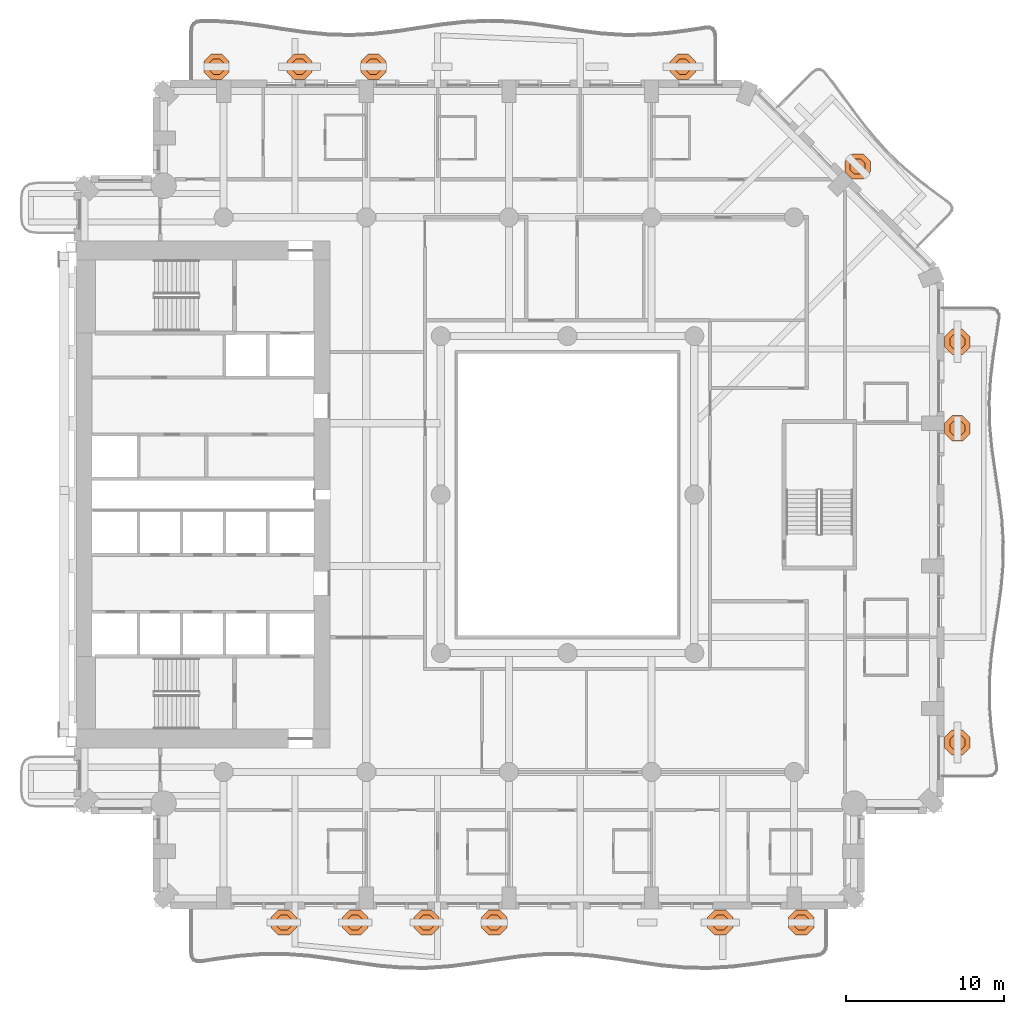
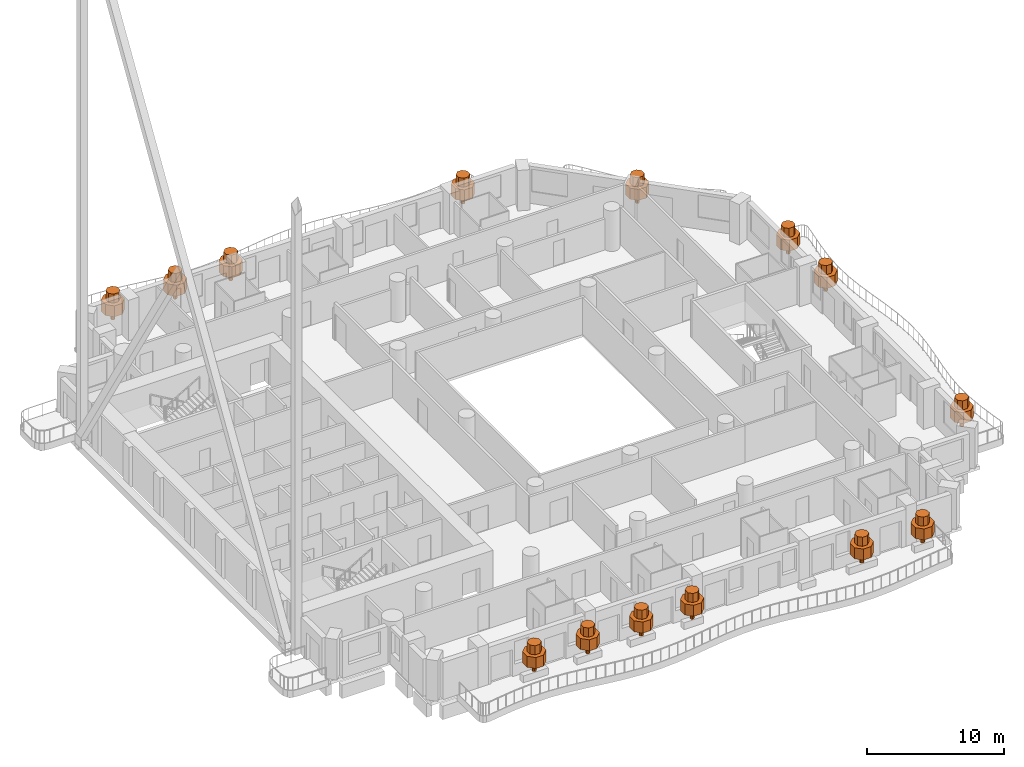
# One storey, part 24 of 24: 14 geographic elements.
"""IFC4 building model written with IfcOpenShell, lengths in metres."""

from ifc_helpers import new_model, si_unit, direction, frame, origin, place, context, subcontext, project, spatial, polyline, outline, extrude, material, type_object, element, save


model = new_model("IFC4")

# Units and contexts
model_context = context("Model", 3, precision=1e-05, world=origin(), true_north=direction((0.0, 1.0)))
body_context = subcontext(model_context, "Body", "Model", "MODEL_VIEW")
ifc_project = project(units=[si_unit("LENGTHUNIT", "METRE"), si_unit("AREAUNIT", "SQUARE_METRE"), si_unit("VOLUMEUNIT", "CUBIC_METRE"), si_unit("PLANEANGLEUNIT", "RADIAN"), si_unit("MASSUNIT", "GRAM", prefix="KILO")], contexts=[model_context])

# Site, building, storey
site_placement = place(None, origin())
site = spatial("IfcSite", under=ifc_project, at=site_placement, CompositionType="ELEMENT")
building_placement = place(site_placement, origin())
building = spatial("IfcBuilding", under=site, at=building_placement, Name="Cypress Arch Tower", CompositionType="ELEMENT")
storey_placement = place(building_placement, frame((0.0, 0.0, 102.300048828125)))
storey = spatial("IfcBuildingStorey", under=building, at=storey_placement, Name="L20", CompositionType="ELEMENT", Elevation=102.300048828125)

# Geographic elements
ifc_material = material(Name="Foliage and planting")
geographic_element_type = type_object("IfcGeographicElementType", Name="Balcony tree TR", PredefinedType="USERDEFINED", material=ifc_material)
for number, where, z_axis, x_axis, name in (
    (1, (-16.89990234375, -27.0, 0.599853515625), (0.0, 0.0, 1.0), (1.0, 0.0, 0.0), "Balcony tree L20-A03.1"),
    (2, (-12.39990234375, -27.0, 0.599853515625), (0.0, 0.0, 1.0), (1.0, 0.0, 0.0), "Balcony tree L20-A03.2"),
    (3, (-7.89990234375, -27.0, 0.599853515625), (0.0, 0.0, 1.0), (1.0, 0.0, 0.0), "Balcony tree L20-A03.3"),
    (4, (-3.625, -27.0, 0.599853515625), (0.0, 0.0, 1.0), (1.0, 0.0, 0.0), "Balcony tree L20-A03.4"),
    (5, (10.639892578125, -27.0, 0.599853515625), (0.0, 0.0, 1.0), (1.0, 0.0, 0.0), "Balcony tree L20-A03.6"),
    (6, (15.75, -27.0, 0.599853515625), (0.0, 0.0, 1.0), (1.0, 0.0, 0.0), "Balcony tree L20-A03.7"),
    (7, (25.60009765625, -15.642822265625, 0.599853515625), (0.0, 0.0, 1.0), (1.0, 0.0, 0.0), "Balcony tree L20-A06.1"),
    (8, (25.60009765625, 4.1826171875, 0.599853515625), (0.0, 0.0, 1.0), (1.0, 0.0, 0.0), "Balcony tree L20-A06.2"),
    (9, (25.60009765625, 9.642822265625, 0.599853515625), (0.0, 0.0, 1.0), (1.0, 0.0, 0.0), "Balcony tree L20-A06.3"),
    (10, (19.30712890625, 20.70703125, 0.599853515625), (0.0, 0.0, 1.0), (1.0, 0.0, 0.0), "Balcony tree L20-A07.2"),
    (11, (8.28125, 27.0, 0.599853515625), (0.0, 0.0, 1.0), (1.0, 0.0, 0.0), "Balcony tree L20-A08.1"),
    (12, (-11.24365234375, 27.0, 0.599853515625), (0.0, 0.0, 1.0), (1.0, 0.0, 0.0), "Balcony tree L20-A08.4"),
    (13, (-15.91259765625, 27.0, 0.599853515625), (0.0, 0.0, 1.0), (1.0, 0.0, 0.0), "Balcony tree L20-A08.5"),
    (14, (-21.14990234375, 27.0, 0.599853515625), (0.0, 0.0, 1.0), (1.0, 0.0, 0.0), "Balcony tree L20-A08.6"),
):
    element("IfcGeographicElement", number, at=place(storey_placement, frame(where, z_axis=z_axis, x_axis=x_axis)), inside=storey, type_object=geographic_element_type, Name=name, ObjectType="TREE", PredefinedType="USERDEFINED", context=body_context, shape_type="SweptSolid", body=[
        extrude(outline(polyline([(0.14990234375, 0.06201171875), (0.06201171875, 0.14990234375), (-0.06201171875, 0.14990234375), (-0.14990234375, 0.06201171875), (-0.14990234375, -0.06201171875), (-0.06201171875, -0.14990234375), (0.06201171875, -0.14990234375), (0.14990234375, -0.06201171875), (0.14990234375, 0.06201171875)])), origin(), (0.0, 0.0, 1.0), 0.864990234375),
        extrude(outline(polyline([(0.800048828125, 0.331298828125), (0.331298828125, 0.800048828125), (-0.331298828125, 0.800048828125), (-0.800048828125, 0.331298828125), (-0.800048828125, -0.331298828125), (-0.331298828125, -0.800048828125), (0.331298828125, -0.800048828125), (0.800048828125, -0.331298828125), (0.800048828125, 0.331298828125)])), frame((0.0, 0.0, 0.764892578125)), (0.0, 0.0, 1.0), 0.981689453125),
        extrude(outline(polyline([(0.47998046875, 0.19873046875), (0.19873046875, 0.47998046875), (-0.19873046875, 0.47998046875), (-0.47998046875, 0.19873046875), (-0.47998046875, -0.19873046875), (-0.19873046875, -0.47998046875), (0.19873046875, -0.47998046875), (0.47998046875, -0.19873046875), (0.47998046875, 0.19873046875)])), frame((0.0, 0.0, 1.746826171875)), (0.0, 0.0, 1.0), 0.80322265625),
    ])

save(model, "model.ifc")
